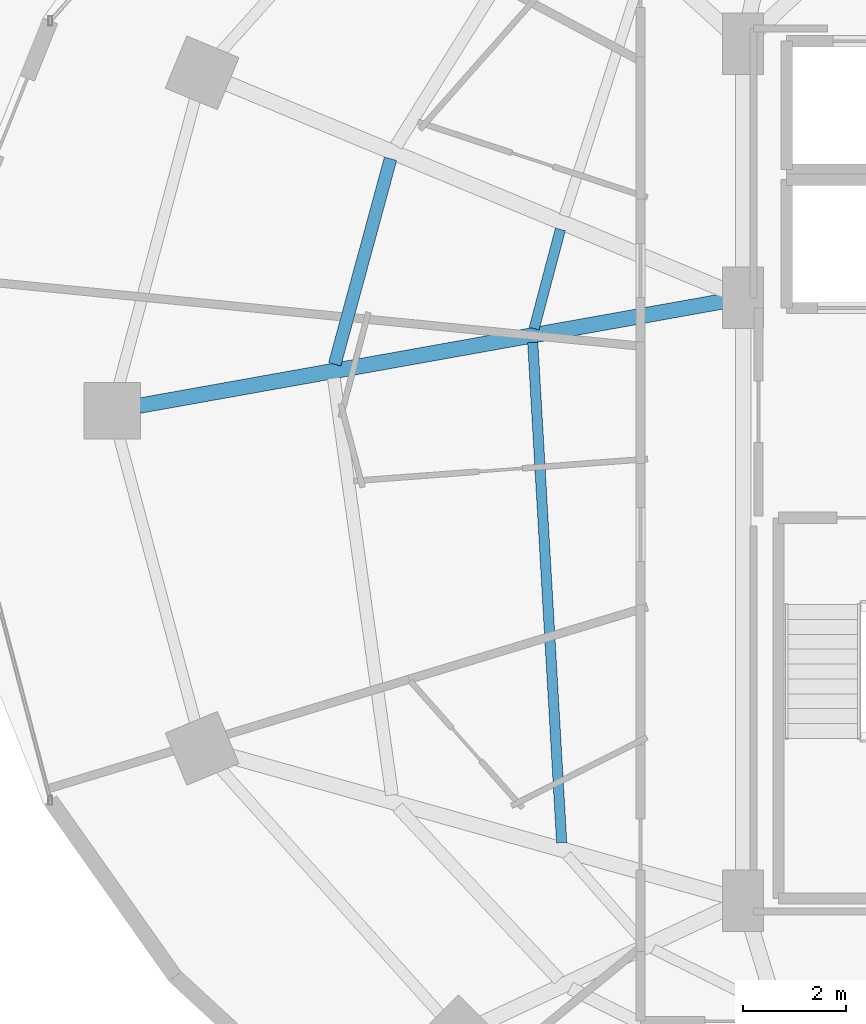
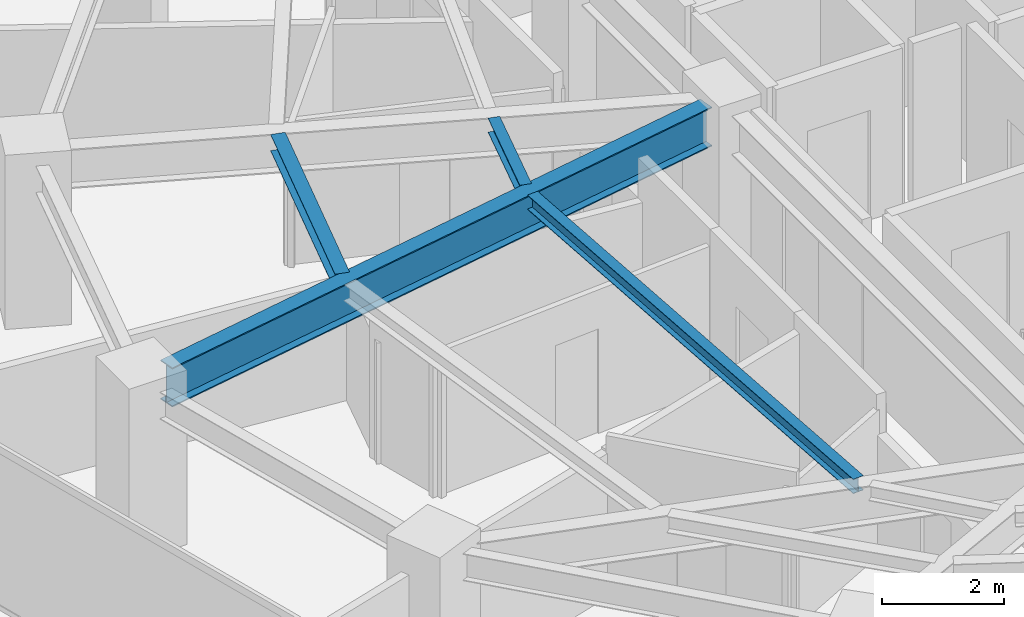
# One storey, part 7 of 29: 4 beams.
"""IFC4 building model written with IfcOpenShell, lengths in metres."""

from ifc_helpers import new_model, si_unit, direction, frame, origin, origin_2d, place, context, subcontext, project, spatial, i_section, extrude, material, material_profile, profile_set, type_object, element, save


model = new_model("IFC4")

# Units and contexts
model_context = context("Model", 3, precision=1e-05, world=origin(), true_north=direction((0.0, 1.0)))
body_context = subcontext(model_context, "Body", "Model", "MODEL_VIEW")
ifc_project = project(units=[si_unit("LENGTHUNIT", "METRE"), si_unit("AREAUNIT", "SQUARE_METRE"), si_unit("VOLUMEUNIT", "CUBIC_METRE"), si_unit("PLANEANGLEUNIT", "RADIAN"), si_unit("MASSUNIT", "GRAM", prefix="KILO")], contexts=[model_context])

# Site, building, storey
site_placement = place(None, origin())
site = spatial("IfcSite", under=ifc_project, at=site_placement, CompositionType="ELEMENT")
building_placement = place(site_placement, origin())
building = spatial("IfcBuilding", under=site, at=building_placement, Name="Vorneva Point Tower", CompositionType="ELEMENT")
storey_placement = place(building_placement, frame((0.0, 0.0, 110.300048828125)))
storey = spatial("IfcBuildingStorey", under=building, at=storey_placement, Name="L29", CompositionType="ELEMENT", Elevation=110.300048828125)

# Beams
ifc_material = material(Name="Steel S355", Category="steel")
ifc_material_profile_1 = material_profile(ifc_material, i_section(OverallWidth=0.300048828125, OverallDepth=0.7880859375, WebThickness=0.014404296875, FlangeThickness=0.02197265625, at=origin_2d()), Name="80Sh1")
ifc_profile_set_1 = profile_set([ifc_material_profile_1], Name="Steel S355")
beam_type_1 = type_object("IfcBeamType", Name="BM-GRD-80Sh1", PredefinedType="USERDEFINED", material=ifc_profile_set_1)
beam_1_placement = place(storey_placement, frame((15.4794921875, 26.0947265625, 2.845947265625), z_axis=(0.984378310682, 0.176066298476, 0.0), x_axis=(-0.176066298476, 0.984378310682, 0.0)))
element("IfcBeam", 1, at=beam_1_placement, inside=storey, type_object=beam_type_1, Name="L29 Radial Primary Girder 09", ObjectType="GIRDER", PredefinedType="USERDEFINED", context=body_context, shape_type="SweptSolid", body=[
    extrude(i_section(OverallWidth=0.300048828125, OverallDepth=0.7880859375, WebThickness=0.014404296875, FlangeThickness=0.02197265625, at=origin_2d()), origin(), (0.0, 0.0, 1.0), 11.6171875),
])
ifc_material_profile_2 = material_profile(ifc_material, i_section(OverallWidth=0.199951171875, OverallDepth=0.291015625, WebThickness=0.008056640625, FlangeThickness=0.010986328125, at=origin_2d()), Name="30Sh1")
ifc_profile_set_2 = profile_set([ifc_material_profile_2], Name="Steel S355")
beam_type_2 = type_object("IfcBeamType", Name="BM-SEC-30Sh1", PredefinedType="BEAM", material=ifc_profile_set_2)
beam_2_placement = place(storey_placement, frame((23.688232421875, 29.531982421875, 3.094482421875), z_axis=(-0.255724804331, -0.966749618283, 0.0), x_axis=(0.966749618283, -0.255724804331, 0.0)))
element("IfcBeam", 2, at=beam_2_placement, inside=storey, type_object=beam_type_2, Name="L29 Secondary Floor Beam 2.08", PredefinedType="BEAM", context=body_context, shape_type="SweptSolid", body=[
    extrude(i_section(OverallWidth=0.199951171875, OverallDepth=0.291015625, WebThickness=0.008056640625, FlangeThickness=0.010986328125, at=origin_2d()), origin(), (0.0, 0.0, 1.0), 2.0),
])
beam_3_placement = place(storey_placement, frame((23.1494140625, 27.327392578125, 3.094482421875), z_axis=(0.057791133112, -0.998328695838, 0.0), x_axis=(0.998328695838, 0.057791133112, 0.0)))
element("IfcBeam", 3, at=beam_3_placement, inside=storey, type_object=beam_type_2, Name="L29 Secondary Floor Beam 2.09", PredefinedType="BEAM", context=body_context, shape_type="SweptSolid", body=[
    extrude(i_section(OverallWidth=0.199951171875, OverallDepth=0.291015625, WebThickness=0.008056640625, FlangeThickness=0.010986328125, at=origin_2d()), origin(), (0.0, 0.0, 1.0), 9.762939453125),
])
ifc_material_profile_3 = material_profile(ifc_material, i_section(OverallWidth=0.2490234375, OverallDepth=0.333984375, WebThickness=0.008056640625, FlangeThickness=0.010986328125, at=origin_2d()), Name="35Sh1")
ifc_profile_set_3 = profile_set([ifc_material_profile_3], Name="Steel S355")
beam_type_3 = type_object("IfcBeamType", Name="BM-SEC-35Sh1", PredefinedType="BEAM", material=ifc_profile_set_3)
beam_4_placement = place(storey_placement, frame((20.377685546875, 30.90771484375, 3.072998046875), z_axis=(-0.262196401448, -0.96501453205, 0.0), x_axis=(0.96501453205, -0.262196401448, 0.0)))
element("IfcBeam", 4, at=beam_4_placement, inside=storey, type_object=beam_type_3, Name="L29 Secondary Floor Beam 1.08", PredefinedType="BEAM", context=body_context, shape_type="SweptSolid", body=[
    extrude(i_section(OverallWidth=0.2490234375, OverallDepth=0.333984375, WebThickness=0.008056640625, FlangeThickness=0.010986328125, at=origin_2d()), origin(), (0.0, 0.0, 1.0), 4.150146484375),
])

save(model, "model.ifc")
